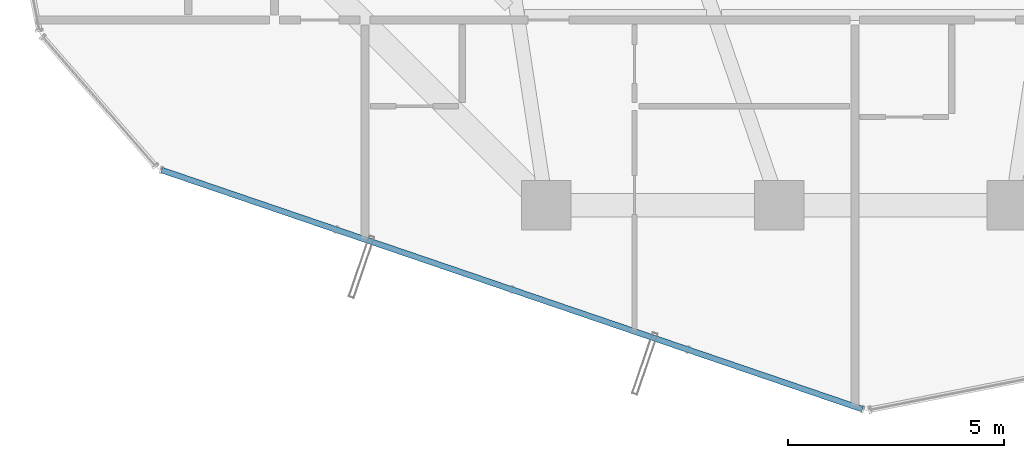
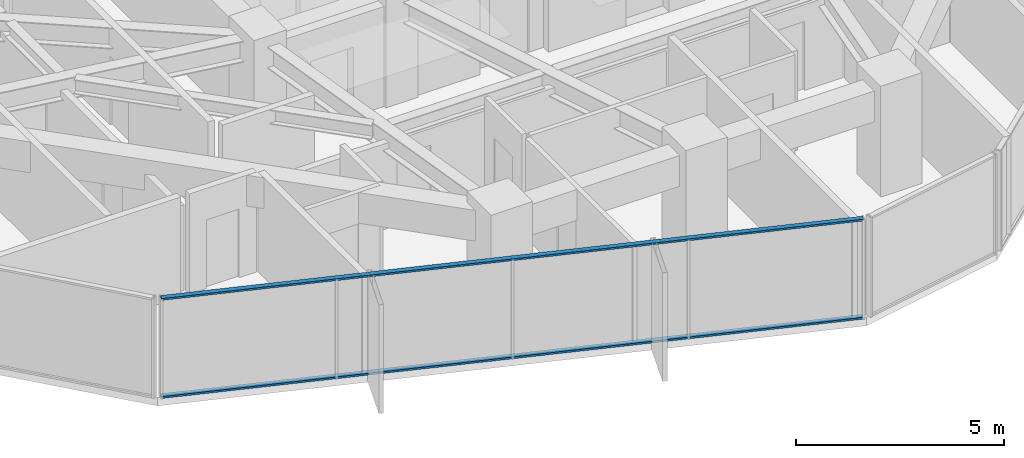
# One storey, part 3 of 36: 2 members, 1 element without a shape of its own.
"""IFC4 building model written with IfcOpenShell, lengths in metres."""

from ifc_helpers import new_model, si_unit, direction, frame, origin, origin_2d, place, context, subcontext, project, spatial, hollow_rectangle, extrude, source, transform, mapped, material, layer, layer_set, material_profile, profile_set, type_object, element, aggregate, save


model = new_model("IFC4")

# Units and contexts
model_context = context("Model", 3, precision=1e-05, world=origin(), true_north=direction((0.0, 1.0)))
body_context = subcontext(model_context, "Body", "Model", "MODEL_VIEW")
ifc_project = project(units=[si_unit("LENGTHUNIT", "METRE"), si_unit("AREAUNIT", "SQUARE_METRE"), si_unit("VOLUMEUNIT", "CUBIC_METRE"), si_unit("PLANEANGLEUNIT", "RADIAN"), si_unit("MASSUNIT", "GRAM", prefix="KILO")], contexts=[model_context])

# Site, building, storey
site_placement = place(None, origin())
site = spatial("IfcSite", under=ifc_project, at=site_placement, CompositionType="ELEMENT")
building_placement = place(site_placement, origin())
building = spatial("IfcBuilding", under=site, at=building_placement, Name="Veraguas Prism Commons", CompositionType="ELEMENT")
storey_placement = place(building_placement, frame((0.0, 0.0, 166.300048828125)))
storey = spatial("IfcBuildingStorey", under=building, at=storey_placement, Name="L47", CompositionType="ELEMENT", Elevation=166.300048828125)

# Curtain wall, members
ifc_material = material(Name="Anodised aluminium EN AW-6063 T6", Category="aluminium")
ifc_layer = layer(ifc_material, 0.169921875, Name="Unitised Flush Curtain Wall Zone 2", Category="aluminium")
ifc_layer_set = layer_set([ifc_layer], Name="Anodised aluminium EN AW-6063 T6")
curtain_wall_type = type_object("IfcCurtainWallType", Name="Unitised Flush Curtain Wall Zone 2", PredefinedType="NOTDEFINED", material=ifc_layer_set)
curtain_wall_placement = place(storey_placement, origin())
curtain_wall = element("IfcCurtainWall", 1, at=curtain_wall_placement, inside=storey, type_object=curtain_wall_type, Name="Tower Facade Curtain Wall L47-F4", PredefinedType="NOTDEFINED")
ifc_material_profile = material_profile(ifc_material, hollow_rectangle(XDim=0.054931640625, YDim=0.135009765625, WallThickness=0.0029296875, at=origin_2d()), Name="AL55X135X3")
ifc_profile_set = profile_set([ifc_material_profile], Name="Anodised aluminium EN AW-6063 T6")
member_type = type_object("IfcMemberType", Name="Curtain Wall Transom Standard AL 55x135x3", PredefinedType="USERDEFINED", material=ifc_profile_set)
shared_shape = source(origin(), body_context, "Body", "SweptSolid", [
    extrude(hollow_rectangle(XDim=0.054931640625, YDim=0.135009765625, WallThickness=0.0029296875, at=origin_2d()), origin(), (0.0, 0.0, 1.0), 17.17431640625),
])
member_1_placement = place(storey_placement, frame((9.678466796875, 8.618408203125, 0.02734375), z_axis=(0.946422038145, -0.322932385667, 0.0), x_axis=(0.0, 0.0, 1.0)))
member_1 = element("IfcMember", 2, at=member_1_placement, type_object=member_type, Name="CW-Z2 Transom 1", ObjectType="TRANSOM", PredefinedType="USERDEFINED", context=body_context, shape_type="MappedRepresentation", body=[
    mapped(shared_shape, transform((0.0, 0.0, 0.0), scale=1.0)),
])
member_2_placement = place(storey_placement, frame((9.678466796875, 8.618408203125, 2.90234375), z_axis=(0.946422038145, -0.322932385667, 0.0), x_axis=(0.0, 0.0, 1.0)))
member_2 = element("IfcMember", 3, at=member_2_placement, type_object=member_type, Name="CW-Z2 Transom 2", ObjectType="TRANSOM", PredefinedType="USERDEFINED", context=body_context, shape_type="MappedRepresentation", body=[
    mapped(shared_shape, transform((0.0, 0.0, 0.0), scale=1.0)),
])
aggregate(curtain_wall, [member_1, member_2])

save(model, "model.ifc")
